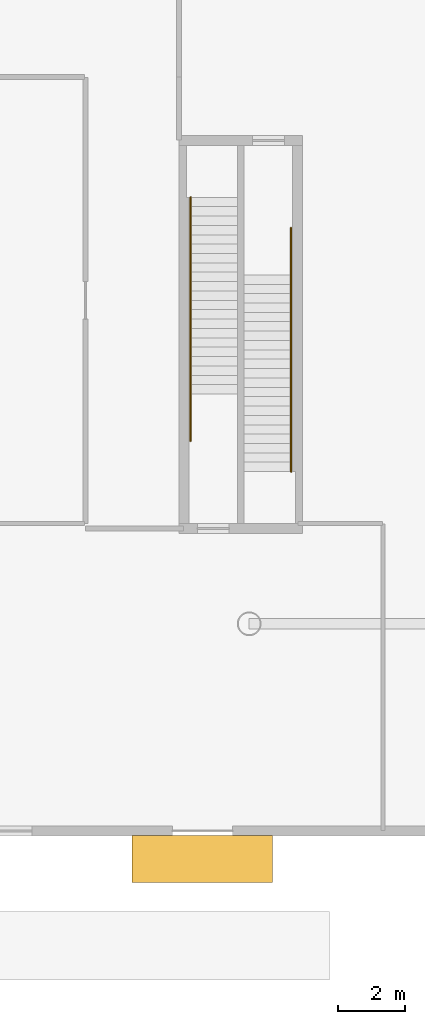
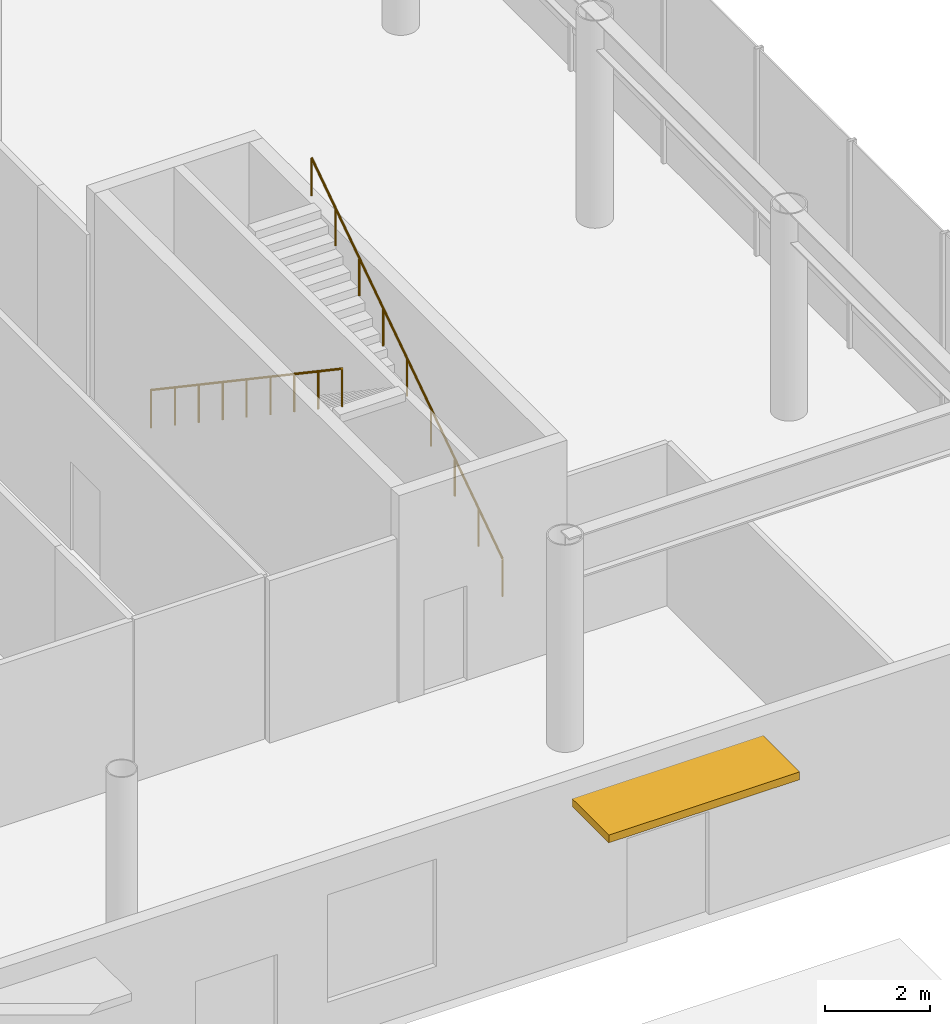
# One storey, part 30 of 31: 2 railings, 1 shading device.
"""IFC4 building model written with IfcOpenShell, lengths in metres."""

from ifc_helpers import new_model, si_unit, direction, frame, origin, origin_2d, place, context, subcontext, project, spatial, rectangle, circle, extrude, material, type_object, element, save


model = new_model("IFC4")

# Units and contexts
model_context = context("Model", 3, precision=1e-05, world=origin(), true_north=direction((0.0, 1.0)))
body_context = subcontext(model_context, "Body", "Model", "MODEL_VIEW")
ifc_project = project(units=[si_unit("LENGTHUNIT", "METRE"), si_unit("AREAUNIT", "SQUARE_METRE"), si_unit("VOLUMEUNIT", "CUBIC_METRE"), si_unit("PLANEANGLEUNIT", "RADIAN"), si_unit("MASSUNIT", "GRAM", prefix="KILO")], contexts=[model_context])

# Site, building, storey
site_placement = place(None, origin())
site = spatial("IfcSite", under=ifc_project, at=site_placement, CompositionType="ELEMENT")
building_placement = place(site_placement, origin())
building = spatial("IfcBuilding", under=site, at=building_placement, Name="Zarrinselat Tower", CompositionType="ELEMENT")
storey_placement = place(building_placement, origin())
storey = spatial("IfcBuildingStorey", under=building, at=storey_placement, Name="L00", CompositionType="ELEMENT", Elevation=0.0)

# Railings
ifc_material_1 = material(Name="Steel S355J2", Category="steel")
railing_type = type_object("IfcRailingType", Name="RLG-STAIR-HAND", PredefinedType="HANDRAIL", material=ifc_material_1)
railing_1_placement = place(storey_placement, frame((69.25, 15.550048828125, 0.18896484375)))
element("IfcRailing", 1, at=railing_1_placement, inside=storey, type_object=railing_type, Name="L00 ST-4 stair handrail 1", PredefinedType="HANDRAIL", context=body_context, shape_type="SweptSolid", body=[
    extrude(circle(Radius=0.02392578125, at=origin_2d()), frame((0.0, 0.0, 0.8759765625), z_axis=(0.0, 0.829001089801, 0.559246987573), x_axis=(-1.0, 0.0, 0.0)), (0.0, 0.0, 1.0), 8.78173828125),
    extrude(circle(Radius=0.02099609375, at=origin_2d()), origin(), (0.0, 0.0, 1.0), 0.849853515625),
    extrude(circle(Radius=0.02099609375, at=origin_2d()), frame((0.0, 0.909912109375, 0.61376953125)), (0.0, 0.0, 1.0), 0.849853515625),
    extrude(circle(Radius=0.02099609375, at=origin_2d()), frame((0.0, 1.820068359375, 1.227783203125)), (0.0, 0.0, 1.0), 0.849853515625),
    extrude(circle(Radius=0.02099609375, at=origin_2d()), frame((0.0, 2.72998046875, 1.841796875)), (0.0, 0.0, 1.0), 0.849853515625),
    extrude(circle(Radius=0.02099609375, at=origin_2d()), frame((0.0, 3.64013671875, 2.45556640625)), (0.0, 0.0, 1.0), 0.849853515625),
    extrude(circle(Radius=0.02099609375, at=origin_2d()), frame((0.0, 4.550048828125, 3.0693359375)), (0.0, 0.0, 1.0), 0.849853515625),
    extrude(circle(Radius=0.02099609375, at=origin_2d()), frame((0.0, 5.4599609375, 3.683349609375)), (0.0, 0.0, 1.0), 0.849853515625),
    extrude(circle(Radius=0.02099609375, at=origin_2d()), frame((0.0, 6.3701171875, 4.29736328125)), (0.0, 0.0, 1.0), 0.849853515625),
    extrude(circle(Radius=0.02099609375, at=origin_2d()), frame((0.0, 7.280029296875, 4.9111328125)), (0.0, 0.0, 1.0), 0.849853515625),
])
railing_2_placement = place(storey_placement, frame((66.25, 23.75, 0.18896484375)))
element("IfcRailing", 2, at=railing_2_placement, inside=storey, type_object=railing_type, Name="L00 ST-4 stair handrail 1", PredefinedType="HANDRAIL", context=body_context, shape_type="SweptSolid", body=[
    extrude(circle(Radius=0.02392578125, at=origin_2d()), frame((0.0, 0.0, 0.8759765625), z_axis=(0.0, -0.829001089801, 0.559246987573), x_axis=(1.0, 0.0, 0.0)), (0.0, 0.0, 1.0), 8.78173828125),
    extrude(circle(Radius=0.02099609375, at=origin_2d()), origin(), (0.0, 0.0, 1.0), 0.849853515625),
    extrude(circle(Radius=0.02099609375, at=origin_2d()), frame((0.0, -0.909912109375, 0.61376953125)), (0.0, 0.0, 1.0), 0.849853515625),
    extrude(circle(Radius=0.02099609375, at=origin_2d()), frame((0.0, -1.820068359375, 1.227783203125)), (0.0, 0.0, 1.0), 0.849853515625),
    extrude(circle(Radius=0.02099609375, at=origin_2d()), frame((0.0, -2.72998046875, 1.841796875)), (0.0, 0.0, 1.0), 0.849853515625),
    extrude(circle(Radius=0.02099609375, at=origin_2d()), frame((0.0, -3.64013671875, 2.45556640625)), (0.0, 0.0, 1.0), 0.849853515625),
    extrude(circle(Radius=0.02099609375, at=origin_2d()), frame((0.0, -4.550048828125, 3.0693359375)), (0.0, 0.0, 1.0), 0.849853515625),
    extrude(circle(Radius=0.02099609375, at=origin_2d()), frame((0.0, -5.4599609375, 3.683349609375)), (0.0, 0.0, 1.0), 0.849853515625),
    extrude(circle(Radius=0.02099609375, at=origin_2d()), frame((0.0, -6.3701171875, 4.29736328125)), (0.0, 0.0, 1.0), 0.849853515625),
    extrude(circle(Radius=0.02099609375, at=origin_2d()), frame((0.0, -7.280029296875, 4.9111328125)), (0.0, 0.0, 1.0), 0.849853515625),
])

# Shading device
ifc_material_2 = material(Name="Perforated Architectural Bronze")
shading_device_type = type_object("IfcShadingDeviceType", Name="SHD-PISHTAQ-CANOPY", PredefinedType="AWNING", material=ifc_material_2)
shading_device_placement = place(storey_placement, frame((66.60009765625, 3.969970703125, 3.56005859375), z_axis=(0.0, 0.0, 1.0), x_axis=(1.0, 0.0, 0.0)))
element("IfcShadingDevice", 3, at=shading_device_placement, inside=storey, type_object=shading_device_type, Name="L00 Pishtaq Bronze Entrance Sunshade 5", PredefinedType="AWNING", context=body_context, shape_type="SweptSolid", body=[
    extrude(rectangle(XDim=4.199951171875, YDim=1.39990234375, at=origin_2d()), origin(), (0.0, 0.0, 1.0), 0.179931640625),
])

save(model, "model.ifc")
